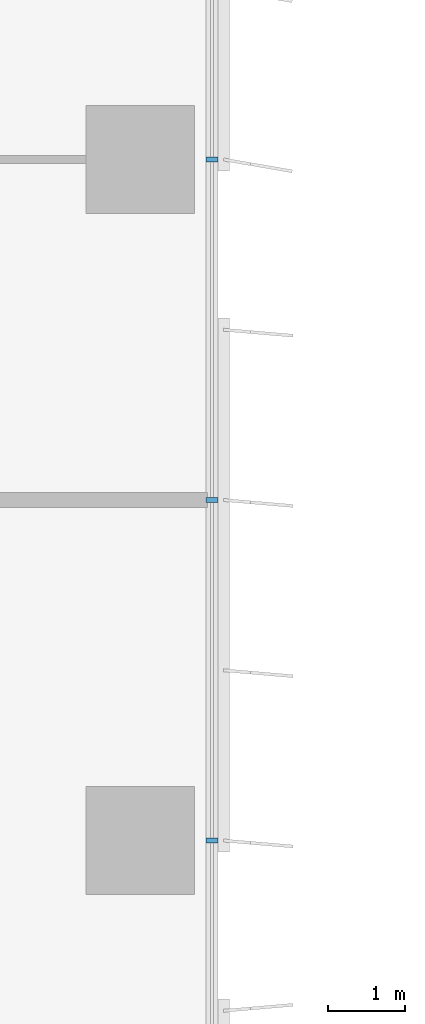
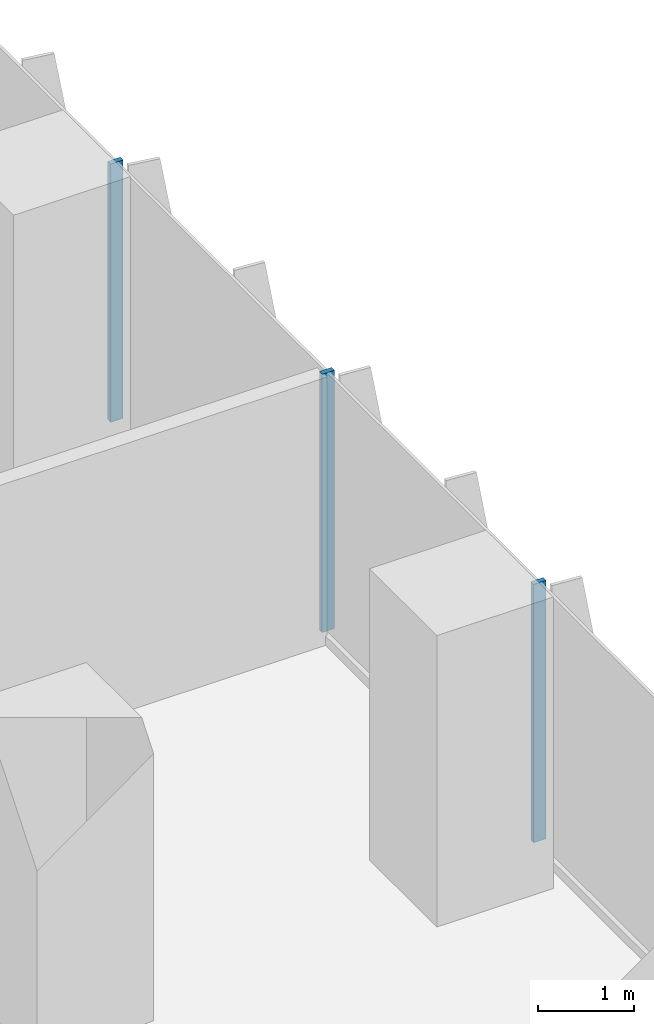
# One storey, part 7 of 24: 3 members, 1 element without a shape of its own.
"""IFC4 building model written with IfcOpenShell, lengths in metres."""

from ifc_helpers import new_model, si_unit, direction, frame, origin, origin_2d, place, context, subcontext, project, spatial, rectangle, extrude, source, transform, mapped, material, material_profile, profile_set, type_object, element, aggregate, save


model = new_model("IFC4")

# Units and contexts
model_context = context("Model", 3, precision=1e-05, world=origin(), true_north=direction((0.0, 1.0)))
body_context = subcontext(model_context, "Body", "Model", "MODEL_VIEW")
ifc_project = project(units=[si_unit("LENGTHUNIT", "METRE"), si_unit("AREAUNIT", "SQUARE_METRE"), si_unit("VOLUMEUNIT", "CUBIC_METRE"), si_unit("PLANEANGLEUNIT", "RADIAN"), si_unit("MASSUNIT", "GRAM", prefix="KILO")], contexts=[model_context])

# Site, building, storey
site_placement = place(None, origin())
site = spatial("IfcSite", under=ifc_project, at=site_placement, CompositionType="ELEMENT")
building_placement = place(site_placement, origin())
building = spatial("IfcBuilding", under=site, at=building_placement, Name="Kemantara Hotel Tower", CompositionType="ELEMENT")
storey_placement = place(building_placement, frame((0.0, 0.0, 45.10009765625)))
storey = spatial("IfcBuildingStorey", under=building, at=storey_placement, Name="L09", CompositionType="ELEMENT", Elevation=45.10009765625)

# Curtain wall, members
ifc_material_1 = material(Name="Low-E tinted double insulated glass 36 mm", Category="glass")
curtain_wall_type = type_object("IfcCurtainWallType", Name="TOWER CURTAIN WALL, FRONT FACES", PredefinedType="USERDEFINED", material=ifc_material_1)
curtain_wall_placement = place(storey_placement, origin())
curtain_wall = element("IfcCurtainWall", 1, at=curtain_wall_placement, inside=storey, type_object=curtain_wall_type, Name="CW4 L09 T1-R08-1", ObjectType="TOWER CURTAIN WALL, FRONT FACES", PredefinedType="USERDEFINED")
ifc_material_2 = material(Name="Aluminium 6063-T6 bronze anodised", Category="aluminium")
ifc_material_profile = material_profile(ifc_material_2, rectangle(XDim=0.14990234375, YDim=0.06005859375, at=origin_2d()), Name="TOWER CURTAIN WALL, FRONT FACES MULLION")
ifc_profile_set = profile_set([ifc_material_profile], Name="Aluminium 6063-T6 bronze anodised")
member_type = type_object("IfcMemberType", Name="TOWER CURTAIN WALL, FRONT FACES MULLION", PredefinedType="MULLION", material=ifc_profile_set)
shared_shape = source(origin(), body_context, "Body", "SweptSolid", [
    extrude(rectangle(XDim=0.14990234375, YDim=0.06005859375, at=origin_2d()), origin(), (0.0, 0.0, 1.0), 3.280029296875),
])
member_1_placement = place(storey_placement, frame((26.72509765625, 53.800048828125, 0.119873046875), z_axis=(0.0, 0.0, 1.0), x_axis=(-1.0, 0.0, 0.0)))
member_1 = element("IfcMember", 2, at=member_1_placement, type_object=member_type, Name="CW4 mullion T1-R08-1.8", PredefinedType="MULLION", context=body_context, shape_type="MappedRepresentation", body=[
    mapped(shared_shape, transform((0.0, 0.0, 0.0))),
])
member_2_placement = place(storey_placement, frame((26.72509765625, 58.199951171875, 0.119873046875), z_axis=(0.0, 0.0, 1.0), x_axis=(-1.0, 0.0, 0.0)))
member_2 = element("IfcMember", 3, at=member_2_placement, type_object=member_type, Name="CW4 mullion T1-R08-1.9", PredefinedType="MULLION", context=body_context, shape_type="MappedRepresentation", body=[
    mapped(shared_shape, transform((0.0, 0.0, 0.0))),
])
member_3_placement = place(storey_placement, frame((26.72509765625, 62.60009765625, 0.119873046875), z_axis=(0.0, 0.0, 1.0), x_axis=(-1.0, 0.0, 0.0)))
member_3 = element("IfcMember", 4, at=member_3_placement, type_object=member_type, Name="CW4 mullion T1-R08-1.10", PredefinedType="MULLION", context=body_context, shape_type="MappedRepresentation", body=[
    mapped(shared_shape, transform((0.0, 0.0, 0.0))),
])
aggregate(curtain_wall, [member_1, member_2, member_3])

save(model, "model.ifc")
